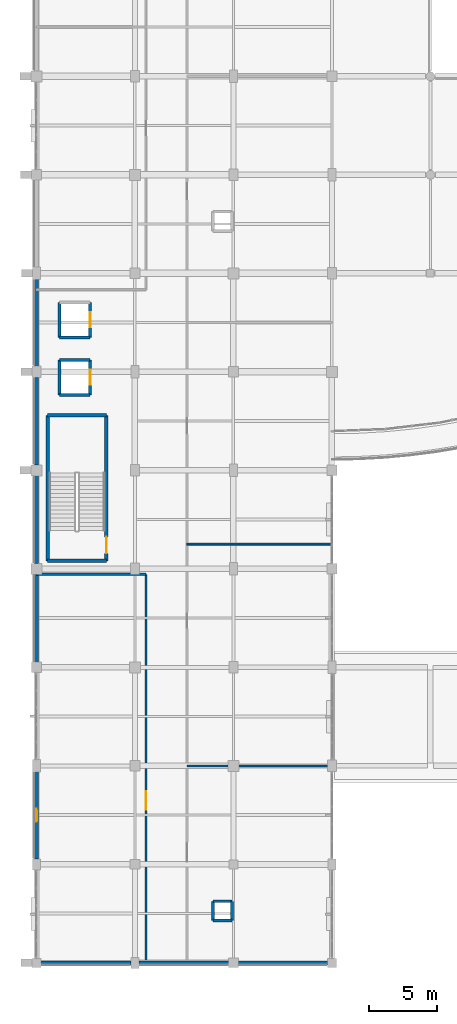
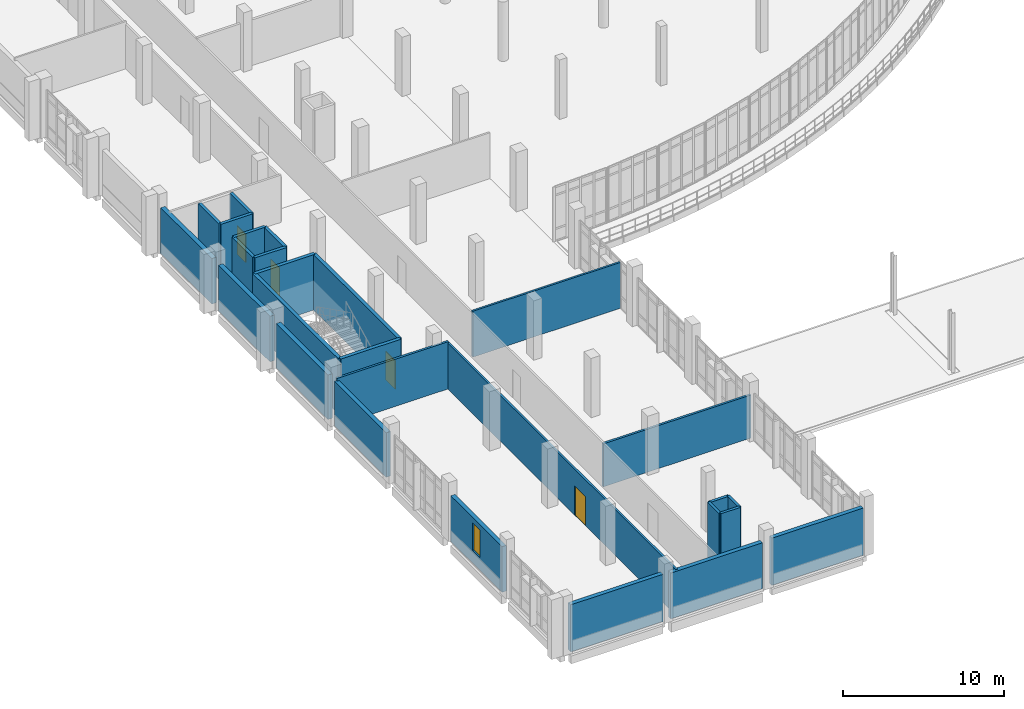
# One storey, part 111 of 134: 27 walls, 4 doors, 1 window, 5 openings.
"""IFC4 building model written with IfcOpenShell, lengths in metres."""

import ifcopenshell
import ifcopenshell.guid

model = None  # the IFC model being written
_history = None  # IfcOwnerHistory: only IFC2X3 demands one
_inside = {}  # id of a spatial element -> (the spatial element, [elements in it])
_under = {}  # id of a project, library or spatial element -> (it, [spatial elements below it])
_declared = {}  # id of a project -> (the project, [libraries it declares])
_typed = {}  # id of a type object -> (the type object, [elements of that type])
_made_of = {}  # id of a material, layer set ... -> (it, [elements and type objects made of it])


def new_model(schema):
    """Start an empty IFC model of exactly this schema.

    Asked for "IFC4X3", IfcOpenShell would pick the latest addendum, in which some entities
    have other attributes; the version numbers below select the first issue.
    IFC2X3 requires an IfcOwnerHistory on every rooted entity: one is made here for all.
    """
    global model, _history
    if schema == "IFC4X3":
        model = ifcopenshell.file(schema_version=(4, 3, 0, 0))
    else:
        model = ifcopenshell.file(schema=schema)
    _inside.clear()
    _under.clear()
    _declared.clear()
    _typed.clear()
    _made_of.clear()
    _history = None
    if model.schema == "IFC2X3":
        org = make("IfcOrganization", Name="unknown")
        user = make(
            "IfcPersonAndOrganization",
            ThePerson=make("IfcPerson", FamilyName="unknown"),
            TheOrganization=org,
        )
        app = make(
            "IfcApplication",
            ApplicationDeveloper=org,
            Version="unknown",
            ApplicationFullName="unknown",
            ApplicationIdentifier="unknown",
        )
        _history = make(
            "IfcOwnerHistory",
            OwningUser=user,
            OwningApplication=app,
            ChangeAction="ADDED",
            CreationDate=0,
        )
    return model


def make(cls, **values):
    """One entity of the class cls with the attributes given. An attribute that is None is left unset."""
    return model.create_entity(
        cls, **{name: value for name, value in values.items() if value is not None}
    )


def rooted(cls, **values):
    """An entity with a GlobalId (a new one), such as an element, a storey or a relation."""
    return make(cls, GlobalId=ifcopenshell.guid.new(), OwnerHistory=_history, **values)


def si_unit(unit_type, name, prefix=None):
    """IfcSIUnit, for example si_unit("LENGTHUNIT", "METRE", prefix="MILLI")."""
    return make("IfcSIUnit", UnitType=unit_type, Prefix=prefix, Name=name)


def assignment(units):
    """IfcUnitAssignment: the units of a project."""
    return None if units is None else make("IfcUnitAssignment", Units=units)


def point(xyz):
    """IfcCartesianPoint."""
    return None if xyz is None else make("IfcCartesianPoint", Coordinates=xyz)


def direction(xyz):
    """IfcDirection."""
    return None if xyz is None else make("IfcDirection", DirectionRatios=xyz)


def frame(location, z_axis=None, x_axis=None):
    """IfcAxis2Placement3D, a coordinate frame: its origin and axes. An axis left out is left unset."""
    return make(
        "IfcAxis2Placement3D",
        Location=point(location),
        Axis=direction(z_axis),
        RefDirection=direction(x_axis),
    )


def frame_2d(location, x_axis=None):
    """IfcAxis2Placement2D, a coordinate frame in the plane: its origin and x axis."""
    return make(
        "IfcAxis2Placement2D", Location=point(location), RefDirection=direction(x_axis)
    )


def origin():
    """The frame at (0, 0, 0) with its axes left unset."""
    return frame((0.0, 0.0, 0.0))


def place(relative_to, where):
    """IfcLocalPlacement: puts the frame where relative to a parent placement (None: the world)."""
    return make(
        "IfcLocalPlacement", PlacementRelTo=relative_to, RelativePlacement=where
    )


def context(
    kind, dimensions, precision=None, world=None, true_north=None, identifier=None
):
    """IfcGeometricRepresentationContext, for example the 3D "Model" context."""
    return make(
        "IfcGeometricRepresentationContext",
        ContextIdentifier=identifier,
        ContextType=kind,
        CoordinateSpaceDimension=dimensions,
        Precision=precision,
        WorldCoordinateSystem=world,
        TrueNorth=true_north,
    )


def subcontext(parent, identifier, kind, view, scale=None):
    """IfcGeometricRepresentationSubContext, for example "Body" below "Model"."""
    return make(
        "IfcGeometricRepresentationSubContext",
        ContextIdentifier=identifier,
        ContextType=kind,
        ParentContext=parent,
        TargetScale=scale,
        TargetView=view,
    )


def project(units=None, contexts=None):
    """IfcProject with its units and contexts."""
    return rooted(
        "IfcProject",
        Name="project",
        RepresentationContexts=contexts,
        UnitsInContext=assignment(units),
    )


def spatial(cls, under=None, at=None, **own):
    """A site, building, storey or space (cls), placed at a placement, below another one or the project."""
    s = rooted(cls, ObjectPlacement=at, **own)
    if under is not None:
        _under.setdefault(under.id(), (under, []))[1].append(s)
    return s


def profile(cls, at=None, kind="AREA", **sizes):
    """A parametric profile (cls). Its sizes go by their IFC names, for example OverallWidth=200.0."""
    return make(cls, ProfileType=kind, Position=at, **sizes)


def rectangle(**sizes):
    """IfcRectangleProfileDef."""
    return profile("IfcRectangleProfileDef", **sizes)


def extrude(swept, where, along, depth):
    """IfcExtrudedAreaSolid: the profile swept, set in the frame where, extruded along a direction by depth."""
    return make(
        "IfcExtrudedAreaSolid",
        SweptArea=swept,
        Position=where,
        ExtrudedDirection=direction(along),
        Depth=depth,
    )


def shape(context_of_items, identifier, shape_type, items):
    """IfcShapeRepresentation: the items that make up one representation, for example the "Body"."""
    return make(
        "IfcShapeRepresentation",
        ContextOfItems=context_of_items,
        RepresentationIdentifier=identifier,
        RepresentationType=shape_type,
        Items=items,
    )


def material(Name=None, Category=None):
    """IfcMaterial."""
    return make("IfcMaterial", Name=Name, Category=Category)


def layer(
    of_material, thickness, ventilated=None, Name=None, Category=None, Priority=None
):
    """IfcMaterialLayer: one layer of a wall or slab, of a material (None: an air gap)."""
    return make(
        "IfcMaterialLayer",
        Material=of_material,
        LayerThickness=thickness,
        IsVentilated=ventilated,
        Name=Name,
        Category=Category,
        Priority=Priority,
    )


def layer_set(layers, Name=None):
    """IfcMaterialLayerSet."""
    return make("IfcMaterialLayerSet", MaterialLayers=layers, LayerSetName=Name)


def made_of(thing, what):
    """Note that an element or type object is made of a material, layer set ...; save() writes the relation."""
    if what is not None:
        _made_of.setdefault(what.id(), (what, []))[1].append(thing)
    return thing


def type_object(cls, material=None, **own):
    """A type object (cls), such as IfcWallType, which elements share."""
    return made_of(rooted(cls, **own), material)


def element(
    cls,
    number,
    at=None,
    inside=None,
    cuts=None,
    type_object=None,
    material=None,
    context=None,
    identifier="Body",
    shape_type=None,
    held_by="IfcProductDefinitionShape",
    body=None,
    shapes=None,
    **own,
):
    """One element of the class cls, such as IfcWall. Its Tag is "e" and its number.

    at: its placement. inside: the storey or other place that contains it. cuts: it is an
    opening in that element (IfcRelVoidsElement). A single representation is given by context,
    identifier, shape_type and body (its items); several are given by shapes. held_by: the class
    of the entity that holds the representations. save() writes the other relations.
    """
    e = rooted(cls, Tag="e%d" % number, ObjectPlacement=at, **own)
    if body is not None:
        shapes = [shape(context, identifier, shape_type, body)]
    if shapes is not None:
        e.Representation = make(held_by, Representations=shapes)
    if inside is not None:
        _inside.setdefault(inside.id(), (inside, []))[1].append(e)
    if cuts is not None:
        rooted(
            "IfcRelVoidsElement", RelatingBuildingElement=cuts, RelatedOpeningElement=e
        )
    if type_object is not None:
        _typed.setdefault(type_object.id(), (type_object, []))[1].append(e)
    return made_of(e, material)


def fill(opening, filler):
    """IfcRelFillsElement: the door or window that sits in an opening."""
    return rooted(
        "IfcRelFillsElement",
        RelatingOpeningElement=opening,
        RelatedBuildingElement=filler,
    )


def aggregate(whole, parts):
    """IfcRelAggregates: a whole, such as a stair, and the parts it consists of."""
    return rooted("IfcRelAggregates", RelatingObject=whole, RelatedObjects=parts)


def save(model, path):
    """Write the relations noted so far, then the file.

    IfcRelAggregates (storeys below a building ...), IfcRelContainedInSpatialStructure (elements
    in a storey), IfcRelDefinesByType, IfcRelAssociatesMaterial and IfcRelDeclares: one each for
    every whole, place, type object, material and project.
    """
    for whole, parts in _under.values():
        aggregate(whole, parts)
    for where, things in _inside.values():
        rooted(
            "IfcRelContainedInSpatialStructure",
            RelatedElements=things,
            RelatingStructure=where,
        )
    for kind, things in _typed.values():
        rooted("IfcRelDefinesByType", RelatedObjects=things, RelatingType=kind)
    for what, things in _made_of.values():
        rooted("IfcRelAssociatesMaterial", RelatedObjects=things, RelatingMaterial=what)
    for by, libraries in _declared.values():
        rooted("IfcRelDeclares", RelatingContext=by, RelatedDefinitions=libraries)
    model.write(path)


model = new_model("IFC4")

# Units and contexts
model_context = context("Model", 3, precision=1e-05, world=origin(), true_north=direction((0.0, 1.0)))
body_context = subcontext(model_context, "Body", "Model", "MODEL_VIEW")
ifc_project = project(units=[si_unit("LENGTHUNIT", "METRE"), si_unit("AREAUNIT", "SQUARE_METRE"), si_unit("VOLUMEUNIT", "CUBIC_METRE"), si_unit("PLANEANGLEUNIT", "RADIAN"), si_unit("MASSUNIT", "GRAM", prefix="KILO")], contexts=[model_context])

# Site, building, storey
site_placement = place(None, origin())
site = spatial("IfcSite", under=ifc_project, at=site_placement, CompositionType="ELEMENT")
building_placement = place(site_placement, origin())
building = spatial("IfcBuilding", under=site, at=building_placement, Name="Kalluvel Institute of Natural Sciences", CompositionType="ELEMENT")
storey_placement = place(building_placement, frame((0.0, 0.0, 5.39990234375)))
storey = spatial("IfcBuildingStorey", under=building, at=storey_placement, Name="L01", CompositionType="ELEMENT", Elevation=5.39990234375)

# Wall
ifc_material_1 = material(Name="Concrete M40", Category="concrete")
ifc_layer_1 = layer(ifc_material_1, 0.25)
ifc_layer_set_1 = layer_set([ifc_layer_1], Name="Concrete M40")
wall_type_1 = type_object("IfcWallType", Name="WL-CORE-250", PredefinedType="SHEAR", material=ifc_layer_set_1)
wall_1_placement = place(storey_placement, frame((14.81494140625, 43.385009765625, 0.0), z_axis=(0.0, 0.0, 1.0), x_axis=(1.0, 0.0, 0.0)))
element("IfcWall", 1, at=wall_1_placement, inside=storey, type_object=wall_type_1, Name="ST4 L01 core wall S", PredefinedType="SHEAR", context=body_context, shape_type="SweptSolid", body=[
    extrude(rectangle(XDim=4.300048828125, YDim=0.25, at=frame_2d((2.14990234375, 0.0))), origin(), (0.0, 0.0, 1.0), 4.195068359375),
])

# Wall, opening, door
wall_2_placement = place(storey_placement, frame((19.114990234375, 43.385009765625, 0.0), z_axis=(0.0, 0.0, 1.0), x_axis=(0.0, 1.0, 0.0)))
wall_2 = element("IfcWall", 2, at=wall_2_placement, inside=storey, type_object=wall_type_1, Name="ST4 L01 core wall E", PredefinedType="SHEAR", context=body_context, shape_type="SweptSolid", body=[
    extrude(rectangle(XDim=10.6298828125, YDim=0.25, at=frame_2d((5.31494140625, 0.0))), origin(), (0.0, 0.0, 1.0), 4.195068359375),
])
opening_1_placement = place(wall_2_placement, frame((0.550048828125, 0.0, 0.0)))
opening_1 = element("IfcOpeningElement", 3, at=opening_1_placement, cuts=wall_2, Name="Opening DS-036", PredefinedType="OPENING", context=body_context, shape_type="SweptSolid", body=[
    extrude(rectangle(XDim=1.199951171875, YDim=2.14990234375, at=frame_2d((0.60009765625, 1.074951171875))), frame((0.0, 0.135009765625, 0.0), z_axis=(0.0, -1.0, 0.0), x_axis=(1.0, 0.0, 0.0)), (0.0, 0.0, 1.0), 0.27001953125),
])
ifc_material_2 = material(Name="Galvanized Fire-Rated Steel", Category="steel")
door_type_1 = type_object("IfcDoorType", Name="DR-ST-1200", OperationType="NOTDEFINED", PredefinedType="DOOR", material=ifc_material_2)
door_1_placement = place(opening_1_placement, origin())
door_1 = element("IfcDoor", 4, at=door_1_placement, inside=storey, type_object=door_type_1, Name="ST4 L01 protected stair door DS-036", OperationType="SINGLE_SWING_LEFT", OverallHeight=2.14990234375, OverallWidth=1.199951171875, PredefinedType="DOOR", context=body_context, shape_type="SweptSolid", body=[
    extrude(rectangle(XDim=1.199951171875, YDim=2.14990234375, at=frame_2d((0.60009765625, 1.074951171875))), frame((0.0, 0.02490234375, 0.0), z_axis=(0.0, -1.0, 0.0), x_axis=(1.0, 0.0, 0.0)), (0.0, 0.0, 1.0), 0.050048828125),
])
fill(opening_1, door_1)

# Walls
wall_3_placement = place(storey_placement, frame((19.114990234375, 54.014892578125, 0.0), z_axis=(0.0, 0.0, 1.0), x_axis=(-1.0, 0.0, 0.0)))
element("IfcWall", 5, at=wall_3_placement, inside=storey, type_object=wall_type_1, Name="ST4 L01 core wall N", PredefinedType="SHEAR", context=body_context, shape_type="SweptSolid", body=[
    extrude(rectangle(XDim=4.300048828125, YDim=0.25, at=frame_2d((2.14990234375, 0.0))), origin(), (0.0, 0.0, 1.0), 4.195068359375),
])
wall_4_placement = place(storey_placement, frame((14.81494140625, 54.014892578125, 0.0), z_axis=(0.0, 0.0, 1.0), x_axis=(0.0, -1.0, 0.0)))
element("IfcWall", 6, at=wall_4_placement, inside=storey, type_object=wall_type_1, Name="ST4 L01 core wall W", PredefinedType="SHEAR", context=body_context, shape_type="SweptSolid", body=[
    extrude(rectangle(XDim=10.6298828125, YDim=0.25, at=frame_2d((5.31494140625, 0.0))), origin(), (0.0, 0.0, 1.0), 4.195068359375),
])

# Wall, opening, window
ifc_material_3 = material(Name="Sadarahalli Grey Granite Ashlar Concrete M40", Category="masonry")
ifc_layer_2 = layer(ifc_material_3, 0.300048828125)
ifc_layer_set_2 = layer_set([ifc_layer_2], Name="Sadarahalli Grey Granite Ashlar Concrete M40")
wall_type_2 = type_object("IfcWallType", Name="WL-EXT-300", PredefinedType="SOLIDWALL", material=ifc_layer_set_2)
wall_5_placement = place(storey_placement, frame((14.0, 21.580078125, 0.0), z_axis=(0.0, 0.0, 1.0), x_axis=(0.0, 1.0, 0.0)))
wall_5 = element("IfcWall", 7, at=wall_5_placement, inside=storey, type_object=wall_type_2, Name="L01 Sadarahalli granite exterior wall WL-EXT-L01-0147", PredefinedType="SOLIDWALL", context=body_context, shape_type="SweptSolid", body=[
    extrude(rectangle(XDim=6.389892578125, YDim=0.300048828125, at=frame_2d((3.19482421875, 0.0))), origin(), (0.0, 0.0, 1.0), 3.455078125),
])
opening_2_placement = place(wall_5_placement, frame((2.719970703125, 0.0, 0.949951171875)))
opening_2 = element("IfcOpeningElement", 8, at=opening_2_placement, cuts=wall_5, Name="Opening W-15", PredefinedType="OPENING", context=body_context, shape_type="SweptSolid", body=[
    extrude(rectangle(XDim=0.949951171875, YDim=2.10009765625, at=frame_2d((0.47509765625, 1.050048828125))), frame((0.0, 0.159912109375, 0.0), z_axis=(0.0, -1.0, 0.0), x_axis=(1.0, 0.0, 0.0)), (0.0, 0.0, 1.0), 0.320068359375),
])
ifc_material_4 = material(Name="Solar-Control Low-E Laminated Glass", Category="glass")
window_type = type_object("IfcWindowType", Name="WN-LAN-095x210", PartitioningType="SINGLE_PANEL", PredefinedType="WINDOW", material=ifc_material_4)
window_placement = place(opening_2_placement, origin())
window = element("IfcWindow", 9, at=window_placement, inside=storey, type_object=window_type, Name="L01 Gothic lancet window 29", OverallHeight=2.10009765625, OverallWidth=0.949951171875, PartitioningType="SINGLE_PANEL", PredefinedType="WINDOW", context=body_context, shape_type="SweptSolid", body=[
    extrude(rectangle(XDim=0.949951171875, YDim=2.10009765625, at=frame_2d((0.47509765625, 1.050048828125))), frame((0.0, 0.030029296875, 0.0), z_axis=(0.0, -1.0, 0.0), x_axis=(1.0, 0.0, 0.0)), (0.0, 0.0, 1.0), 0.06005859375),
])
fill(opening_2, window)

# Walls
wall_6_placement = place(storey_placement, frame((14.0, 35.955078125, 0.0), z_axis=(0.0, 0.0, 1.0), x_axis=(0.0, 1.0, 0.0)))
element("IfcWall", 10, at=wall_6_placement, inside=storey, type_object=wall_type_2, Name="L01 Sadarahalli granite exterior wall WL-EXT-L01-0148", PredefinedType="SOLIDWALL", context=body_context, shape_type="SweptSolid", body=[
    extrude(rectangle(XDim=6.46484375, YDim=0.300048828125, at=frame_2d((3.232421875, 0.0))), origin(), (0.0, 0.0, 1.0), 3.375),
])
wall_7_placement = place(storey_placement, frame((14.304931640625, 14.0, 0.0), z_axis=(0.0, 0.0, 1.0), x_axis=(1.0, 0.0, 0.0)))
element("IfcWall", 11, at=wall_7_placement, inside=storey, type_object=wall_type_2, Name="L01 Sadarahalli granite exterior wall WL-EXT-L01-0155", PredefinedType="SOLIDWALL", context=body_context, shape_type="SweptSolid", body=[
    extrude(rectangle(XDim=6.614990234375, YDim=0.300048828125, at=frame_2d((3.3076171875, 0.0))), origin(), (0.0, 0.0, 1.0), 3.5751953125),
])
wall_8_placement = place(storey_placement, frame((21.47998046875, 14.0, 0.0), z_axis=(0.0, 0.0, 1.0), x_axis=(1.0, 0.0, 0.0)))
element("IfcWall", 12, at=wall_8_placement, inside=storey, type_object=wall_type_2, Name="L01 Sadarahalli granite exterior wall WL-EXT-L01-0156", PredefinedType="SOLIDWALL", context=body_context, shape_type="SweptSolid", body=[
    extrude(rectangle(XDim=6.590087890625, YDim=0.300048828125, at=frame_2d((3.294921875, 0.0))), origin(), (0.0, 0.0, 1.0), 3.47509765625),
])
wall_9_placement = place(storey_placement, frame((28.72998046875, 14.0, 0.0), z_axis=(0.0, 0.0, 1.0), x_axis=(1.0, 0.0, 0.0)))
element("IfcWall", 13, at=wall_9_placement, inside=storey, type_object=wall_type_2, Name="L01 Sadarahalli granite exterior wall WL-EXT-L01-0157", PredefinedType="SOLIDWALL", context=body_context, shape_type="SweptSolid", body=[
    extrude(rectangle(XDim=6.56494140625, YDim=0.300048828125, at=frame_2d((3.282470703125, 0.0))), origin(), (0.0, 0.0, 1.0), 3.5751953125),
])
ifc_layer_3 = layer(ifc_material_3, 0.320068359375)
ifc_layer_set_3 = layer_set([ifc_layer_3], Name="Sadarahalli Grey Granite Ashlar Concrete M40")
wall_type_3 = type_object("IfcWallType", Name="WL-EXT-320", PredefinedType="SOLIDWALL", material=ifc_layer_set_3)
wall_10_placement = place(storey_placement, frame((14.0, 43.179931640625, 0.0), z_axis=(0.0, 0.0, 1.0), x_axis=(0.0, 1.0, 0.0)))
element("IfcWall", 14, at=wall_10_placement, inside=storey, type_object=wall_type_3, Name="L01 Sadarahalli granite exterior wall WL-EXT-L01-0149", PredefinedType="SOLIDWALL", context=body_context, shape_type="SweptSolid", body=[
    extrude(rectangle(XDim=6.440185546875, YDim=0.320068359375, at=frame_2d((3.22021484375, 0.0))), origin(), (0.0, 0.0, 1.0), 3.375),
])
wall_11_placement = place(storey_placement, frame((14.0, 50.3798828125, 0.0), z_axis=(0.0, 0.0, 1.0), x_axis=(0.0, 1.0, 0.0)))
element("IfcWall", 15, at=wall_11_placement, inside=storey, type_object=wall_type_3, Name="L01 Sadarahalli granite exterior wall WL-EXT-L01-0150", PredefinedType="SOLIDWALL", context=body_context, shape_type="SweptSolid", body=[
    extrude(rectangle(XDim=6.4150390625, YDim=0.320068359375, at=frame_2d((3.20751953125, 0.0))), origin(), (0.0, 0.0, 1.0), 3.455078125),
])
wall_12_placement = place(storey_placement, frame((14.0, 57.60498046875, 0.0), z_axis=(0.0, 0.0, 1.0), x_axis=(0.0, 1.0, 0.0)))
element("IfcWall", 16, at=wall_12_placement, inside=storey, type_object=wall_type_3, Name="L01 Sadarahalli granite exterior wall WL-EXT-L01-0151", PredefinedType="SOLIDWALL", context=body_context, shape_type="SweptSolid", body=[
    extrude(rectangle(XDim=6.364990234375, YDim=0.320068359375, at=frame_2d((3.1826171875, 0.0))), origin(), (0.0, 0.0, 1.0), 3.455078125),
])
ifc_material_5 = material(Name="Acoustic Gypsum Twin-Stud Partition", Category="gypsum")
ifc_layer_4 = layer(ifc_material_5, 0.139892578125)
ifc_layer_set_4 = layer_set([ifc_layer_4], Name="Acoustic Gypsum Twin-Stud Partition")
wall_type_4 = type_object("IfcWallType", Name="WL-PART-140", PredefinedType="PARTITIONING", material=ifc_layer_set_4)
wall_13_placement = place(storey_placement, frame((25.0, 44.60009765625, 0.0), z_axis=(0.0, 0.0, 1.0), x_axis=(1.0, 0.0, 0.0)))
element("IfcWall", 17, at=wall_13_placement, inside=storey, type_object=wall_type_4, Name="L01 interior partition wall WL-INT-L01-0106", PredefinedType="PARTITIONING", context=body_context, shape_type="SweptSolid", body=[
    extrude(rectangle(XDim=10.60009765625, YDim=0.139892578125, at=frame_2d((5.300048828125, 0.0))), origin(), (0.0, 0.0, 1.0), 3.47998046875),
])

# Wall, opening, door
wall_14_placement = place(storey_placement, frame((22.0, 14.0, 0.0), z_axis=(0.0, 0.0, 1.0), x_axis=(0.0, 1.0, 0.0)))
wall_14 = element("IfcWall", 18, at=wall_14_placement, inside=storey, type_object=wall_type_4, Name="L01 interior partition wall WL-INT-L01-0109", PredefinedType="PARTITIONING", context=body_context, shape_type="SweptSolid", body=[
    extrude(rectangle(XDim=28.39990234375, YDim=0.139892578125, at=frame_2d((14.199951171875, 0.0))), origin(), (0.0, 0.0, 1.0), 3.47998046875),
])
opening_3_placement = place(wall_14_placement, frame((11.199951171875, 0.0, 0.0)))
opening_3 = element("IfcOpeningElement", 19, at=opening_3_placement, cuts=wall_14, Name="Opening D-113", PredefinedType="OPENING", context=body_context, shape_type="SweptSolid", body=[
    extrude(rectangle(XDim=1.35009765625, YDim=2.199951171875, at=frame_2d((0.675048828125, 1.10009765625))), frame((0.0, 0.079833984375, 0.0), z_axis=(0.0, -1.0, 0.0), x_axis=(1.0, 0.0, 0.0)), (0.0, 0.0, 1.0), 0.159912109375),
])
ifc_material_6 = material(Name="Aluminium AW-6063 T6", Category="aluminium")
door_type_2 = type_object("IfcDoorType", Name="DR-INT-1350", OperationType="NOTDEFINED", PredefinedType="DOOR", material=ifc_material_6)
door_2_placement = place(opening_3_placement, origin())
door_2 = element("IfcDoor", 20, at=door_2_placement, inside=storey, type_object=door_type_2, Name="L01 DW-S door D-113", OperationType="SINGLE_SWING_RIGHT", OverallHeight=2.199951171875, OverallWidth=1.35009765625, PredefinedType="DOOR", context=body_context, shape_type="SweptSolid", body=[
    extrude(rectangle(XDim=1.35009765625, YDim=2.199951171875, at=frame_2d((0.675048828125, 1.10009765625))), frame((0.0, 0.02490234375, 0.0), z_axis=(0.0, -1.0, 0.0), x_axis=(1.0, 0.0, 0.0)), (0.0, 0.0, 1.0), 0.050048828125),
])
fill(opening_3, door_2)

# Walls
ifc_material_7 = material(Name="Autoclaved Aerated Concrete Masonry Block", Category="masonry")
ifc_layer_5 = layer(ifc_material_7, 0.159912109375)
ifc_layer_set_5 = layer_set([ifc_layer_5], Name="Autoclaved Aerated Concrete Masonry Block")
wall_type_5 = type_object("IfcWallType", Name="WL-PART-160", PredefinedType="PARTITIONING", material=ifc_layer_set_5)
wall_15_placement = place(storey_placement, frame((25.0, 28.39990234375, 0.0), z_axis=(0.0, 0.0, 1.0), x_axis=(1.0, 0.0, 0.0)))
element("IfcWall", 21, at=wall_15_placement, inside=storey, type_object=wall_type_5, Name="L01 interior partition wall WL-INT-L01-0105", PredefinedType="PARTITIONING", context=body_context, shape_type="SweptSolid", body=[
    extrude(rectangle(XDim=10.60009765625, YDim=0.159912109375, at=frame_2d((5.300048828125, 0.0))), origin(), (0.0, 0.0, 1.0), 3.260009765625),
])
wall_16_placement = place(storey_placement, frame((14.0, 42.39990234375, 0.0), z_axis=(0.0, 0.0, 1.0), x_axis=(1.0, 0.0, 0.0)))
element("IfcWall", 22, at=wall_16_placement, inside=storey, type_object=wall_type_5, Name="L01 interior partition wall WL-INT-L01-0111", PredefinedType="PARTITIONING", context=body_context, shape_type="SweptSolid", body=[
    extrude(rectangle(XDim=8.0, YDim=0.159912109375, at=frame_2d((4.0, 0.0))), origin(), (0.0, 0.0, 1.0), 3.580078125),
])
ifc_layer_6 = layer(ifc_material_1, 0.199951171875)
ifc_layer_set_6 = layer_set([ifc_layer_6], Name="Concrete M40")
wall_type_6 = type_object("IfcWallType", Name="WL-RISER-200", PredefinedType="SHEAR", material=ifc_layer_set_6)
wall_17_placement = place(storey_placement, frame((26.89990234375, 17.10009765625, 0.0), z_axis=(0.0, 0.0, 1.0), x_axis=(1.0, 0.0, 0.0)))
element("IfcWall", 23, at=wall_17_placement, inside=storey, type_object=wall_type_6, Name="RS-DRY-S L01 service riser enclosure S", PredefinedType="SHEAR", context=body_context, shape_type="SweptSolid", body=[
    extrude(rectangle(XDim=1.400146484375, YDim=0.199951171875, at=frame_2d((0.7001953125, 0.0))), origin(), (0.0, 0.0, 1.0), 4.16015625),
])
wall_18_placement = place(storey_placement, frame((28.300048828125, 17.10009765625, 0.0), z_axis=(0.0, 0.0, 1.0), x_axis=(0.0, 1.0, 0.0)))
element("IfcWall", 24, at=wall_18_placement, inside=storey, type_object=wall_type_6, Name="RS-DRY-S L01 service riser enclosure E", PredefinedType="SHEAR", context=body_context, shape_type="SweptSolid", body=[
    extrude(rectangle(XDim=1.39990234375, YDim=0.199951171875, at=frame_2d((0.699951171875, 0.0))), origin(), (0.0, 0.0, 1.0), 4.16015625),
])
wall_19_placement = place(storey_placement, frame((28.300048828125, 18.5, 0.0), z_axis=(0.0, 0.0, 1.0), x_axis=(-1.0, 0.0, 0.0)))
element("IfcWall", 25, at=wall_19_placement, inside=storey, type_object=wall_type_6, Name="RS-DRY-S L01 service riser enclosure N", PredefinedType="SHEAR", context=body_context, shape_type="SweptSolid", body=[
    extrude(rectangle(XDim=1.400146484375, YDim=0.199951171875, at=frame_2d((0.7001953125, 0.0))), origin(), (0.0, 0.0, 1.0), 4.16015625),
])
wall_20_placement = place(storey_placement, frame((26.89990234375, 18.5, 0.0), z_axis=(0.0, 0.0, 1.0), x_axis=(0.0, -1.0, 0.0)))
element("IfcWall", 26, at=wall_20_placement, inside=storey, type_object=wall_type_6, Name="RS-DRY-S L01 service riser enclosure W", PredefinedType="SHEAR", context=body_context, shape_type="SweptSolid", body=[
    extrude(rectangle(XDim=1.39990234375, YDim=0.199951171875, at=frame_2d((0.699951171875, 0.0))), origin(), (0.0, 0.0, 1.0), 4.16015625),
])
ifc_layer_7 = layer(ifc_material_1, 0.219970703125)
ifc_layer_set_7 = layer_set([ifc_layer_7], Name="Concrete M40")
wall_type_7 = type_object("IfcWallType", Name="WL-SHAFT-220", PredefinedType="SHEAR", material=ifc_layer_set_7)
wall_21_placement = place(storey_placement, frame((15.669921875, 55.52001953125, 0.0), z_axis=(0.0, 0.0, 1.0), x_axis=(1.0, 0.0, 0.0)))
element("IfcWall", 27, at=wall_21_placement, inside=storey, type_object=wall_type_7, Name="LF6 L01 lift shaft wall", PredefinedType="SHEAR", context=body_context, shape_type="SweptSolid", body=[
    extrude(rectangle(XDim=2.260009765625, YDim=0.219970703125, at=frame_2d((1.1298828125, 0.0))), origin(), (0.0, 0.0, 1.0), 4.195068359375),
])

# Wall, opening, door
wall_22_placement = place(storey_placement, frame((17.929931640625, 55.52001953125, 0.0), z_axis=(0.0, 0.0, 1.0), x_axis=(0.0, 1.0, 0.0)))
wall_22 = element("IfcWall", 28, at=wall_22_placement, inside=storey, type_object=wall_type_7, Name="LF6 L01 lift shaft wall", PredefinedType="SHEAR", context=body_context, shape_type="SweptSolid", body=[
    extrude(rectangle(XDim=2.56005859375, YDim=0.219970703125, at=frame_2d((1.280029296875, 0.0))), origin(), (0.0, 0.0, 1.0), 4.195068359375),
])
opening_4_placement = place(wall_22_placement, frame((0.72998046875, 0.0, 0.0)))
opening_4 = element("IfcOpeningElement", 29, at=opening_4_placement, cuts=wall_22, Name="Opening LD-045", PredefinedType="OPENING", context=body_context, shape_type="SweptSolid", body=[
    extrude(rectangle(XDim=1.10009765625, YDim=2.14990234375, at=frame_2d((0.550048828125, 1.074951171875))), frame((0.0, 0.119873046875, 0.0), z_axis=(0.0, -1.0, 0.0), x_axis=(1.0, 0.0, 0.0)), (0.0, 0.0, 1.0), 0.239990234375),
])
door_type_3 = type_object("IfcDoorType", Name="DR-LD-1100", OperationType="NOTDEFINED", PredefinedType="DOOR", material=ifc_material_2)
door_3_placement = place(opening_4_placement, origin())
door_3 = element("IfcDoor", 30, at=door_3_placement, inside=storey, type_object=door_type_3, Name="LF6 L01 sliding lift landing door LD-045", OperationType="DOUBLE_DOOR_SLIDING", OverallHeight=2.14990234375, OverallWidth=1.10009765625, PredefinedType="DOOR", context=body_context, shape_type="SweptSolid", body=[
    extrude(rectangle(XDim=1.10009765625, YDim=2.14990234375, at=frame_2d((0.550048828125, 1.074951171875))), frame((0.0, 0.02490234375, 0.0), z_axis=(0.0, -1.0, 0.0), x_axis=(1.0, 0.0, 0.0)), (0.0, 0.0, 1.0), 0.050048828125),
])
fill(opening_4, door_3)

# Walls
wall_23_placement = place(storey_placement, frame((17.929931640625, 58.080078125, 0.0), z_axis=(0.0, 0.0, 1.0), x_axis=(-1.0, 0.0, 0.0)))
element("IfcWall", 31, at=wall_23_placement, inside=storey, type_object=wall_type_7, Name="LF6 L01 lift shaft wall", PredefinedType="SHEAR", context=body_context, shape_type="SweptSolid", body=[
    extrude(rectangle(XDim=2.260009765625, YDim=0.219970703125, at=frame_2d((1.1298828125, 0.0))), origin(), (0.0, 0.0, 1.0), 4.195068359375),
])
wall_24_placement = place(storey_placement, frame((15.669921875, 58.080078125, 0.0), z_axis=(0.0, 0.0, 1.0), x_axis=(0.0, -1.0, 0.0)))
element("IfcWall", 32, at=wall_24_placement, inside=storey, type_object=wall_type_7, Name="LF6 L01 lift shaft wall", PredefinedType="SHEAR", context=body_context, shape_type="SweptSolid", body=[
    extrude(rectangle(XDim=2.56005859375, YDim=0.219970703125, at=frame_2d((1.280029296875, 0.0))), origin(), (0.0, 0.0, 1.0), 4.195068359375),
])
wall_25_placement = place(storey_placement, frame((15.669921875, 59.719970703125, 0.0), z_axis=(0.0, 0.0, 1.0), x_axis=(1.0, 0.0, 0.0)))
element("IfcWall", 33, at=wall_25_placement, inside=storey, type_object=wall_type_7, Name="LF7 L01 lift shaft wall", PredefinedType="SHEAR", context=body_context, shape_type="SweptSolid", body=[
    extrude(rectangle(XDim=2.260009765625, YDim=0.219970703125, at=frame_2d((1.1298828125, 0.0))), origin(), (0.0, 0.0, 1.0), 4.195068359375),
])

# Wall, opening, door
wall_26_placement = place(storey_placement, frame((17.929931640625, 59.719970703125, 0.0), z_axis=(0.0, 0.0, 1.0), x_axis=(0.0, 1.0, 0.0)))
wall_26 = element("IfcWall", 34, at=wall_26_placement, inside=storey, type_object=wall_type_7, Name="LF7 L01 lift shaft wall", PredefinedType="SHEAR", context=body_context, shape_type="SweptSolid", body=[
    extrude(rectangle(XDim=2.56005859375, YDim=0.219970703125, at=frame_2d((1.280029296875, 0.0))), origin(), (0.0, 0.0, 1.0), 4.195068359375),
])
opening_5_placement = place(wall_26_placement, frame((0.72998046875, 0.0, 0.0)))
opening_5 = element("IfcOpeningElement", 35, at=opening_5_placement, cuts=wall_26, Name="Opening LD-053", PredefinedType="OPENING", context=body_context, shape_type="SweptSolid", body=[
    extrude(rectangle(XDim=1.10009765625, YDim=2.14990234375, at=frame_2d((0.550048828125, 1.074951171875))), frame((0.0, 0.119873046875, 0.0), z_axis=(0.0, -1.0, 0.0), x_axis=(1.0, 0.0, 0.0)), (0.0, 0.0, 1.0), 0.239990234375),
])
door_4_placement = place(opening_5_placement, origin())
door_4 = element("IfcDoor", 36, at=door_4_placement, inside=storey, type_object=door_type_3, Name="LF7 L01 sliding lift landing door LD-053", OperationType="DOUBLE_DOOR_SLIDING", OverallHeight=2.14990234375, OverallWidth=1.10009765625, PredefinedType="DOOR", context=body_context, shape_type="SweptSolid", body=[
    extrude(rectangle(XDim=1.10009765625, YDim=2.14990234375, at=frame_2d((0.550048828125, 1.074951171875))), frame((0.0, 0.02490234375, 0.0), z_axis=(0.0, -1.0, 0.0), x_axis=(1.0, 0.0, 0.0)), (0.0, 0.0, 1.0), 0.050048828125),
])
fill(opening_5, door_4)

# Wall
wall_27_placement = place(storey_placement, frame((15.669921875, 62.280029296875, 0.0), z_axis=(0.0, 0.0, 1.0), x_axis=(0.0, -1.0, 0.0)))
element("IfcWall", 37, at=wall_27_placement, inside=storey, type_object=wall_type_7, Name="LF7 L01 lift shaft wall", PredefinedType="SHEAR", context=body_context, shape_type="SweptSolid", body=[
    extrude(rectangle(XDim=2.56005859375, YDim=0.219970703125, at=frame_2d((1.280029296875, 0.0))), origin(), (0.0, 0.0, 1.0), 4.195068359375),
])

save(model, "model.ifc")
